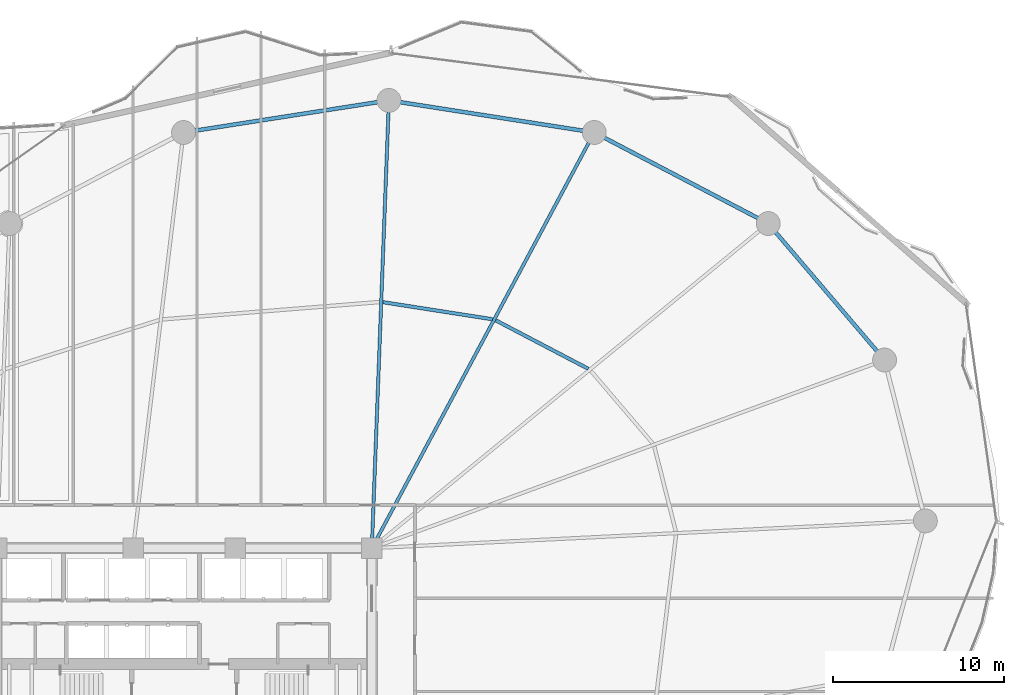
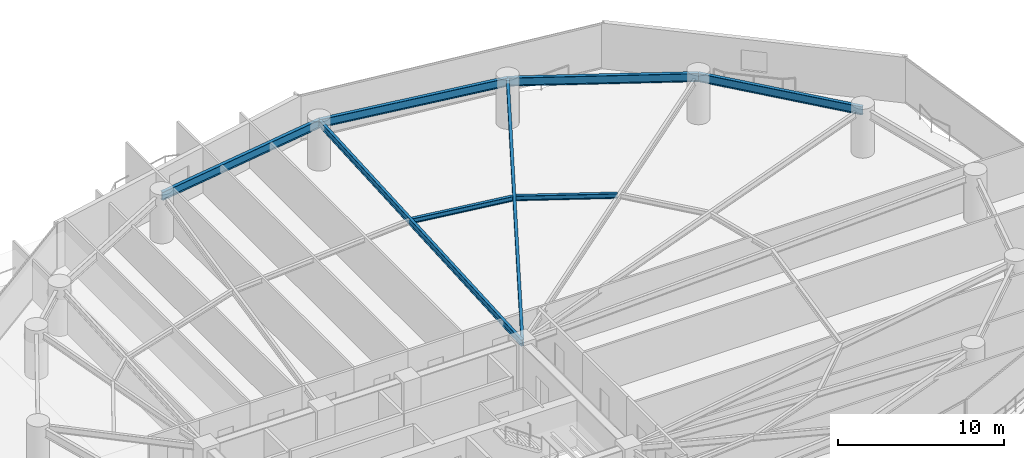
# One storey, part 18 of 31: 8 beams.
"""IFC4 building model written with IfcOpenShell, lengths in metres."""

from ifc_helpers import new_model, si_unit, direction, frame, origin, origin_2d, place, context, subcontext, project, spatial, i_section, extrude, material, material_profile, profile_set, type_object, element, save


model = new_model("IFC4")

# Units and contexts
model_context = context("Model", 3, precision=1e-05, world=origin(), true_north=direction((0.0, 1.0)))
body_context = subcontext(model_context, "Body", "Model", "MODEL_VIEW")
ifc_project = project(units=[si_unit("LENGTHUNIT", "METRE"), si_unit("AREAUNIT", "SQUARE_METRE"), si_unit("VOLUMEUNIT", "CUBIC_METRE"), si_unit("PLANEANGLEUNIT", "RADIAN"), si_unit("MASSUNIT", "GRAM", prefix="KILO")], contexts=[model_context])

# Site, building, storey
site_placement = place(None, origin())
site = spatial("IfcSite", under=ifc_project, at=site_placement, CompositionType="ELEMENT")
building_placement = place(site_placement, origin())
building = spatial("IfcBuilding", under=site, at=building_placement, Name="Kazevale Care Tower and Concert Hall", CompositionType="ELEMENT")
storey_placement = place(building_placement, frame((0.0, 0.0, 60.0)))
storey = spatial("IfcBuildingStorey", under=building, at=storey_placement, Name="L15", CompositionType="ELEMENT", Elevation=60.0)

# Beams
ifc_material = material(Name="Steel ASTM A572 Gr 50", Category="steel")
ifc_material_profile_1 = material_profile(ifc_material, i_section(OverallWidth=0.19091796875, OverallDepth=0.4599609375, WebThickness=0.010009765625, FlangeThickness=0.01611328125, at=origin_2d()), Name="W460x82")
ifc_profile_set_1 = profile_set([ifc_material_profile_1], Name="Steel ASTM A572 Gr 50")
beam_type_1 = type_object("IfcBeamType", Name="Radial Floor Beam W460x82", PredefinedType="BEAM", material=ifc_profile_set_1)
beam_1_placement = place(storey_placement, frame((44.0, 36.39990234375, 3.1298828125), z_axis=(0.471788966953, 0.88171150081, 0.0), x_axis=(-0.88171150081, 0.471788966953, 0.0)))
element("IfcBeam", 1, at=beam_1_placement, inside=storey, type_object=beam_type_1, Name="beam:L15:rad:04", PredefinedType="BEAM", context=body_context, shape_type="SweptSolid", body=[
    extrude(i_section(OverallWidth=0.19091796875, OverallDepth=0.4599609375, WebThickness=0.010009765625, FlangeThickness=0.01611328125, at=origin_2d()), origin(), (0.0, 0.0, 1.0), 27.6396484375),
])
beam_2_placement = place(storey_placement, frame((44.0, 36.39990234375, 3.1298828125), z_axis=(0.038067625343, 0.999275165258, 0.0), x_axis=(-0.999275165258, 0.038067625343, 0.0)))
element("IfcBeam", 2, at=beam_2_placement, inside=storey, type_object=beam_type_1, Name="beam:L15:rad:05", PredefinedType="BEAM", context=body_context, shape_type="SweptSolid", body=[
    extrude(i_section(OverallWidth=0.19091796875, OverallDepth=0.4599609375, WebThickness=0.010009765625, FlangeThickness=0.01611328125, at=origin_2d()), origin(), (0.0, 0.0, 1.0), 26.26904296875),
])
ifc_material_profile_2 = material_profile(ifc_material, i_section(OverallWidth=0.22900390625, OverallDepth=0.612060546875, WebThickness=0.011962890625, FlangeThickness=0.01953125, at=origin_2d()), Name="W610x125")
ifc_profile_set_2 = profile_set([ifc_material_profile_2], Name="Steel ASTM A572 Gr 50")
beam_type_2 = type_object("IfcBeamType", Name="Ring Spandrel Beam W610x125", PredefinedType="SPANDREL", material=ifc_profile_set_2)
beam_3_placement = place(storey_placement, frame((74.06005859375, 47.429931640625, 3.053955078125), z_axis=(-0.648756004283, 0.760996482848, 0.0), x_axis=(-0.760996482848, -0.648756004283, 0.0)))
element("IfcBeam", 3, at=beam_3_placement, inside=storey, type_object=beam_type_2, Name="beam:L15:ring:02", PredefinedType="SPANDREL", context=body_context, shape_type="SweptSolid", body=[
    extrude(i_section(OverallWidth=0.22900390625, OverallDepth=0.612060546875, WebThickness=0.011962890625, FlangeThickness=0.01953125, at=origin_2d()), origin(), (0.0, 0.0, 1.0), 10.512451171875),
])
beam_4_placement = place(storey_placement, frame((67.239990234375, 55.429931640625, 3.053955078125), z_axis=(-0.885929466679, 0.463819986708, 0.0), x_axis=(-0.463819986708, -0.885929466679, 0.0)))
element("IfcBeam", 4, at=beam_4_placement, inside=storey, type_object=beam_type_2, Name="beam:L15:ring:03", PredefinedType="SPANDREL", context=body_context, shape_type="SweptSolid", body=[
    extrude(i_section(OverallWidth=0.22900390625, OverallDepth=0.612060546875, WebThickness=0.011962890625, FlangeThickness=0.01953125, at=origin_2d()), origin(), (0.0, 0.0, 1.0), 11.51318359375),
])
for number, where, z_axis, x_axis, name in (
    (5, (57.0400390625, 60.77001953125, 3.053955078125), (-0.988029216561, 0.154266870134, 0.0), (-0.154266870134, -0.988029216561, 0.0), "beam:L15:ring:04"),
    (6, (45.0, 62.64990234375, 3.053955078125), (-0.988029216561, -0.154266870134, 0.0), (0.154266870134, -0.988029216561, 0.0), "beam:L15:ring:05"),
):
    element("IfcBeam", number, at=place(storey_placement, frame(where, z_axis=z_axis, x_axis=x_axis)), inside=storey, type_object=beam_type_2, Name=name, PredefinedType="SPANDREL", context=body_context, shape_type="SweptSolid", body=[
        extrude(i_section(OverallWidth=0.22900390625, OverallDepth=0.612060546875, WebThickness=0.011962890625, FlangeThickness=0.01953125, at=origin_2d()), origin(), (0.0, 0.0, 1.0), 12.18603515625),
    ])
ifc_material_profile_3 = material_profile(ifc_material, i_section(OverallWidth=0.205078125, OverallDepth=0.35400390625, WebThickness=0.009521484375, FlangeThickness=0.016845703125, at=origin_2d()), Name="W360x79")
ifc_profile_set_3 = profile_set([ifc_material_profile_3], Name="Steel ASTM A572 Gr 50")
beam_type_3 = type_object("IfcBeamType", Name="Secondary Floor Joist W360x79", PredefinedType="JOIST", material=ifc_profile_set_3)
beam_5_placement = place(storey_placement, frame((56.68896484375, 46.9150390625, 3.18310546875), z_axis=(-0.885921274797, 0.463835633454, 0.0), x_axis=(-0.463835633454, -0.885921274797, 0.0)))
element("IfcBeam", 7, at=beam_5_placement, inside=storey, type_object=beam_type_3, Name="beam:L15:joist:03", PredefinedType="JOIST", context=body_context, shape_type="SweptSolid", body=[
    extrude(i_section(OverallWidth=0.205078125, OverallDepth=0.35400390625, WebThickness=0.009521484375, FlangeThickness=0.016845703125, at=origin_2d()), origin(), (0.0, 0.0, 1.0), 6.12255859375),
])
beam_6_placement = place(storey_placement, frame((51.068115234375, 49.820068359375, 3.18310546875), z_axis=(-0.988040697826, 0.154193318403, 0.0), x_axis=(-0.154193318403, -0.988040697826, 0.0)))
element("IfcBeam", 8, at=beam_6_placement, inside=storey, type_object=beam_type_3, Name="beam:L15:joist:04", PredefinedType="JOIST", context=body_context, shape_type="SweptSolid", body=[
    extrude(i_section(OverallWidth=0.205078125, OverallDepth=0.35400390625, WebThickness=0.009521484375, FlangeThickness=0.016845703125, at=origin_2d()), origin(), (0.0, 0.0, 1.0), 6.49169921875),
])

save(model, "model.ifc")
